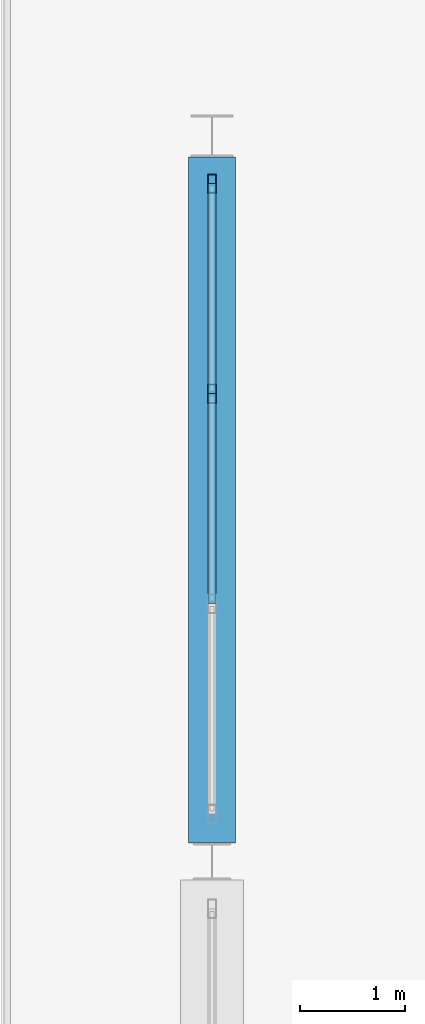
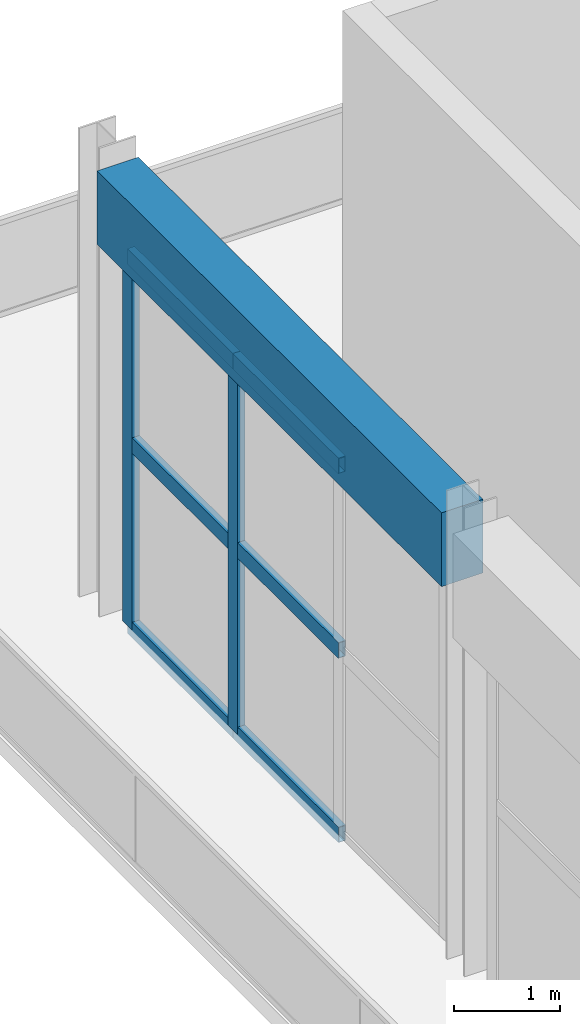
# One storey, part 50 of 117: 8 members, 1 beam, 1 element without a shape of its own.
"""IFC4 building model written with IfcOpenShell, lengths in metres."""

from ifc_helpers import new_model, si_unit, direction, frame, origin, origin_2d, place, context, subcontext, project, spatial, rectangle, hollow_rectangle, extrude, material, material_profile, profile_set, type_object, element, aggregate, save


model = new_model("IFC4")

# Units and contexts
model_context = context("Model", 3, precision=1e-05, world=origin(), true_north=direction((0.0, 1.0)))
body_context = subcontext(model_context, "Body", "Model", "MODEL_VIEW")
ifc_project = project(units=[si_unit("LENGTHUNIT", "METRE"), si_unit("AREAUNIT", "SQUARE_METRE"), si_unit("VOLUMEUNIT", "CUBIC_METRE"), si_unit("PLANEANGLEUNIT", "RADIAN"), si_unit("MASSUNIT", "GRAM", prefix="KILO")], contexts=[model_context])

# Site, building, storey
site_placement = place(None, origin())
site = spatial("IfcSite", under=ifc_project, at=site_placement, CompositionType="ELEMENT")
building_placement = place(site_placement, origin())
building = spatial("IfcBuilding", under=site, at=building_placement, Name="Linyun Crest Stadium", CompositionType="ELEMENT")
storey_placement = place(building_placement, frame((0.0, 0.0, 6.0)))
storey = spatial("IfcBuildingStorey", under=building, at=storey_placement, Name="L02", CompositionType="ELEMENT", Elevation=6.0)

# Beam
ifc_material_1 = material(Name="Concrete C40", Category="concrete")
ifc_material_profile_1 = material_profile(ifc_material_1, rectangle(XDim=0.449951171875, YDim=0.85009765625, at=origin_2d()), Name="RCB 850x450")
ifc_profile_set_1 = profile_set([ifc_material_profile_1], Name="Concrete C40")
beam_type = type_object("IfcBeamType", Name="B04", PredefinedType="BEAM", material=ifc_profile_set_1)
beam_placement = place(storey_placement, frame((58.0, -73.324951171875, 4.72509765625), z_axis=(0.0, 1.0, 0.0), x_axis=(-1.0, 0.0, 0.0)))
element("IfcBeam", 1, at=beam_placement, inside=storey, type_object=beam_type, Name="Frame beam B04 L02 1112", PredefinedType="BEAM", context=body_context, shape_type="SweptSolid", body=[
    extrude(rectangle(XDim=0.449951171875, YDim=0.85009765625, at=origin_2d()), origin(), (0.0, 0.0, 1.0), 6.5),
])

# Curtain wall, members
ifc_material_2 = material(Name="Verdigris steel and low-E curtain wall assembly", Category="steel")
curtain_wall_type = type_object("IfcCurtainWallType", Name="MCW05", PredefinedType="NOTDEFINED", material=ifc_material_2)
curtain_wall_placement = place(storey_placement, origin())
curtain_wall = element("IfcCurtainWall", 2, at=curtain_wall_placement, inside=storey, type_object=curtain_wall_type, Name="CWR-163", PredefinedType="NOTDEFINED")
ifc_material_3 = material(Name="Verdigris painted steel Q355B mullion", Category="steel")
ifc_material_profile_2 = material_profile(ifc_material_3, hollow_rectangle(XDim=0.080078125, YDim=0.179931640625, WallThickness=0.006103515625, at=origin_2d()), Name="RHS 180x80x6")
ifc_profile_set_2 = profile_set([ifc_material_profile_2], Name="Verdigris painted steel Q355B mullion")
member_type_1 = type_object("IfcMemberType", Name="ML02", PredefinedType="MULLION", material=ifc_profile_set_2)
member_1_placement = place(storey_placement, frame((58.0, -69.06689453125, 0.0), z_axis=(0.0, 0.0, 1.0), x_axis=(-1.0, 0.0, 0.0)))
member_1 = element("IfcMember", 3, at=member_1_placement, type_object=member_type_1, Name="CWR-163 mullion 3", PredefinedType="MULLION", context=body_context, shape_type="SweptSolid", body=[
    extrude(hollow_rectangle(XDim=0.080078125, YDim=0.179931640625, WallThickness=0.006103515625, at=origin_2d()), origin(), (0.0, 0.0, 1.0), 4.25),
])
member_2_placement = place(storey_placement, frame((58.0, -67.074951171875, 0.0), z_axis=(0.0, 0.0, 1.0), x_axis=(-1.0, 0.0, 0.0)))
member_2 = element("IfcMember", 4, at=member_2_placement, type_object=member_type_1, Name="CWR-163 mullion 4", PredefinedType="MULLION", context=body_context, shape_type="SweptSolid", body=[
    extrude(hollow_rectangle(XDim=0.080078125, YDim=0.179931640625, WallThickness=0.006103515625, at=origin_2d()), origin(), (0.0, 0.0, 1.0), 4.25),
])
ifc_material_4 = material(Name="Verdigris painted steel Q355B transom", Category="steel")
ifc_material_profile_3 = material_profile(ifc_material_4, hollow_rectangle(XDim=0.080078125, YDim=0.179931640625, WallThickness=0.006103515625, at=origin_2d()), Name="RHS 180x80x6")
ifc_profile_set_3 = profile_set([ifc_material_profile_3], Name="Verdigris painted steel Q355B transom")
member_type_2 = type_object("IfcMemberType", Name="TR02", PredefinedType="USERDEFINED", material=ifc_profile_set_3)
member_3_placement = place(storey_placement, frame((58.0, -71.05810546875, 0.0), z_axis=(0.0, 1.0, 0.0), x_axis=(-1.0, 0.0, 0.0)))
member_3 = element("IfcMember", 5, at=member_3_placement, type_object=member_type_2, Name="CWR-163 transom 2.1", ObjectType="TRANSOM", PredefinedType="USERDEFINED", context=body_context, shape_type="SweptSolid", body=[
    extrude(hollow_rectangle(XDim=0.080078125, YDim=0.179931640625, WallThickness=0.006103515625, at=origin_2d()), origin(), (0.0, 0.0, 1.0), 1.9912109375),
])
member_4_placement = place(storey_placement, frame((58.0, -71.05810546875, 2.125), z_axis=(0.0, 1.0, 0.0), x_axis=(-1.0, 0.0, 0.0)))
member_4 = element("IfcMember", 6, at=member_4_placement, type_object=member_type_2, Name="CWR-163 transom 2.2", ObjectType="TRANSOM", PredefinedType="USERDEFINED", context=body_context, shape_type="SweptSolid", body=[
    extrude(hollow_rectangle(XDim=0.080078125, YDim=0.179931640625, WallThickness=0.006103515625, at=origin_2d()), origin(), (0.0, 0.0, 1.0), 1.9912109375),
])
member_5_placement = place(storey_placement, frame((58.0, -71.05810546875, 4.25), z_axis=(0.0, 1.0, 0.0), x_axis=(-1.0, 0.0, 0.0)))
member_5 = element("IfcMember", 7, at=member_5_placement, type_object=member_type_2, Name="CWR-163 transom 2.3", ObjectType="TRANSOM", PredefinedType="USERDEFINED", context=body_context, shape_type="SweptSolid", body=[
    extrude(hollow_rectangle(XDim=0.080078125, YDim=0.179931640625, WallThickness=0.006103515625, at=origin_2d()), origin(), (0.0, 0.0, 1.0), 1.9912109375),
])
member_6_placement = place(storey_placement, frame((58.0, -69.06689453125, 0.0), z_axis=(0.0, 1.0, 0.0), x_axis=(-1.0, 0.0, 0.0)))
member_6 = element("IfcMember", 8, at=member_6_placement, type_object=member_type_2, Name="CWR-163 transom 3.1", ObjectType="TRANSOM", PredefinedType="USERDEFINED", context=body_context, shape_type="SweptSolid", body=[
    extrude(hollow_rectangle(XDim=0.080078125, YDim=0.179931640625, WallThickness=0.006103515625, at=origin_2d()), origin(), (0.0, 0.0, 1.0), 1.991943359375),
])
member_7_placement = place(storey_placement, frame((58.0, -69.06689453125, 2.125), z_axis=(0.0, 1.0, 0.0), x_axis=(-1.0, 0.0, 0.0)))
member_7 = element("IfcMember", 9, at=member_7_placement, type_object=member_type_2, Name="CWR-163 transom 3.2", ObjectType="TRANSOM", PredefinedType="USERDEFINED", context=body_context, shape_type="SweptSolid", body=[
    extrude(hollow_rectangle(XDim=0.080078125, YDim=0.179931640625, WallThickness=0.006103515625, at=origin_2d()), origin(), (0.0, 0.0, 1.0), 1.991943359375),
])
member_8_placement = place(storey_placement, frame((58.0, -69.06689453125, 4.25), z_axis=(0.0, 1.0, 0.0), x_axis=(-1.0, 0.0, 0.0)))
member_8 = element("IfcMember", 10, at=member_8_placement, type_object=member_type_2, Name="CWR-163 transom 3.3", ObjectType="TRANSOM", PredefinedType="USERDEFINED", context=body_context, shape_type="SweptSolid", body=[
    extrude(hollow_rectangle(XDim=0.080078125, YDim=0.179931640625, WallThickness=0.006103515625, at=origin_2d()), origin(), (0.0, 0.0, 1.0), 1.991943359375),
])
aggregate(curtain_wall, [member_1, member_2, member_3, member_4, member_5, member_6, member_7, member_8])

save(model, "model.ifc")
